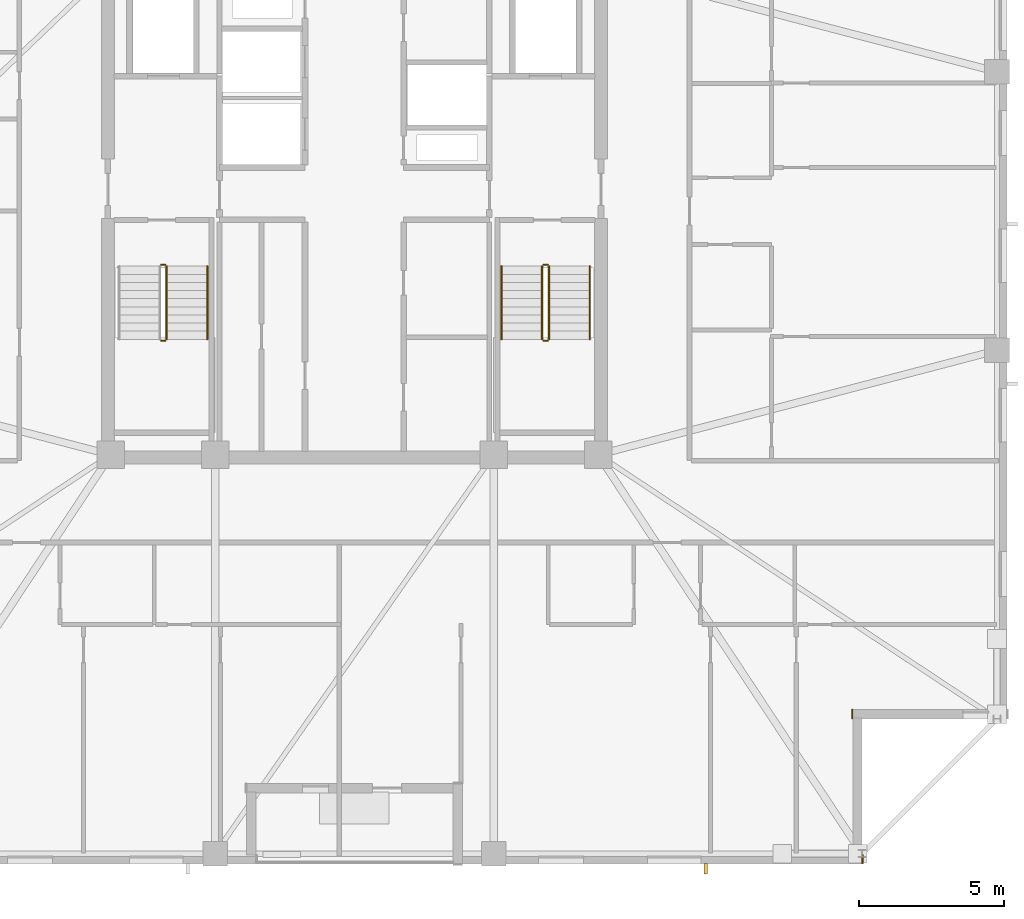
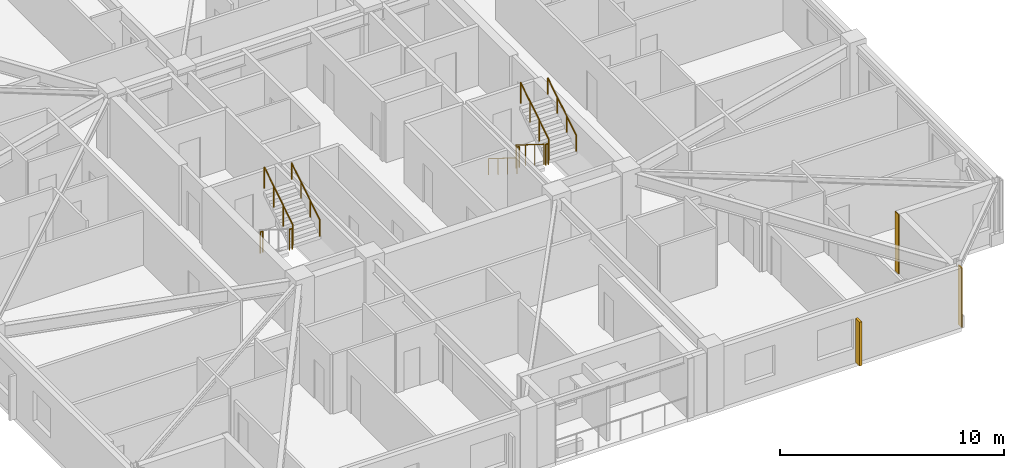
# One storey, part 14 of 17: 10 railings, 2 coverings, 1 shading device.
"""IFC4 building model written with IfcOpenShell, lengths in metres."""

from ifc_helpers import new_model, si_unit, direction, frame, frame_2d, origin, origin_2d, place, context, subcontext, project, spatial, rectangle, circle, extrude, material, layer, layer_set, type_object, element, save


model = new_model("IFC4")

# Units and contexts
model_context = context("Model", 3, precision=1e-05, world=origin(), true_north=direction((0.0, 1.0)))
body_context = subcontext(model_context, "Body", "Model", "MODEL_VIEW")
ifc_project = project(units=[si_unit("LENGTHUNIT", "METRE"), si_unit("AREAUNIT", "SQUARE_METRE"), si_unit("VOLUMEUNIT", "CUBIC_METRE"), si_unit("PLANEANGLEUNIT", "RADIAN"), si_unit("MASSUNIT", "GRAM", prefix="KILO")], contexts=[model_context])

# Site, building, storey
site_placement = place(None, origin())
site = spatial("IfcSite", under=ifc_project, at=site_placement, CompositionType="ELEMENT")
building_placement = place(site_placement, origin())
building = spatial("IfcBuilding", under=site, at=building_placement, Name="Cairnveth Concourse Tower", CompositionType="ELEMENT")
storey_placement = place(building_placement, frame((0.0, 0.0, 272.5)))
storey = spatial("IfcBuildingStorey", under=building, at=storey_placement, Name="L75", CompositionType="ELEMENT", Elevation=272.5)

# Coverings
ifc_material_1 = material(Name="Dressed Melbourne Bluestone Cladding", Category="masonry")
ifc_layer = layer(ifc_material_1, 0.050048828125)
ifc_layer_set = layer_set([ifc_layer], Name="Dressed Melbourne Bluestone Cladding")
covering_type = type_object("IfcCoveringType", Name="DRESSED BLUESTONE PLINTH CLADDING 50", PredefinedType="CLADDING", material=ifc_layer_set)
for number, where, z_axis, x_axis, name in (
    (1, (69.159912109375, 21.820068359375, 0.0), (0.0, 0.0, 1.0), (0.0, -1.0, 0.0), "Melbourne Bluestone Corner Quoin L75-1146"),
    (2, (69.52001953125, 16.820068359375, 0.0), (0.0, 0.0, 1.0), (0.0, -1.0, 0.0), "Melbourne Bluestone Corner Quoin L75-1147"),
):
    element("IfcCovering", number, at=place(storey_placement, frame(where, z_axis=z_axis, x_axis=x_axis)), inside=storey, type_object=covering_type, Name=name, PredefinedType="CLADDING", context=body_context, shape_type="SweptSolid", body=[
        extrude(rectangle(XDim=0.320068359375, YDim=0.050048828125, at=frame_2d((0.16015625, 0.0))), origin(), (0.0, 0.0, 1.0), 3.239990234375),
    ])

# Shading device
ifc_material_2 = material(Name="Architectural Bronze Anodised Aluminium 6063-T6", Category="aluminium")
shading_device_type = type_object("IfcShadingDeviceType", Name="GOTHIC BRONZE VERTICAL LANCET FIN", PredefinedType="USERDEFINED", material=ifc_material_2)
shading_device_placement = place(storey_placement, frame((64.109619140625, 16.324951171875, 0.0302734375), z_axis=(0.0, 0.0, 1.0), x_axis=(1.0, 0.0, 0.0)))
element("IfcShadingDevice", 3, at=shading_device_placement, inside=storey, type_object=shading_device_type, Name="Gothic Bronze Vertical Fin L75-12-1", ObjectType="VERTICAL FIN", PredefinedType="USERDEFINED", context=body_context, shape_type="SweptSolid", body=[
    extrude(rectangle(XDim=0.1201171875, YDim=0.360107421875, at=origin_2d()), origin(), (0.0, 0.0, 1.0), 2.387939453125),
])

# Railings
ifc_material_3 = material(Name="Steel Grade 350", Category="steel")
railing_type_1 = type_object("IfcRailingType", Name="STAIR GUARDRAIL 1150", PredefinedType="GUARDRAIL", material=ifc_material_3)
railing_1_placement = place(storey_placement, frame((45.340087890625, 34.530029296875, 1.75)))
element("IfcRailing", 4, at=railing_1_placement, inside=storey, type_object=railing_type_1, Name="L75 ST-1 stair guard 2", PredefinedType="GUARDRAIL", context=body_context, shape_type="SweptSolid", body=[
    extrude(circle(Radius=0.02392578125, at=origin_2d()), frame((0.0, 0.0, 1.1259765625), z_axis=(1.0, 0.0, 0.0), x_axis=(0.0, 1.0, 0.0)), (0.0, 0.0, 1.0), 0.139892578125),
    extrude(circle(Radius=0.02099609375, at=origin_2d()), origin(), (0.0, 0.0, 1.0), 1.101806640625),
    extrude(circle(Radius=0.02099609375, at=origin_2d()), frame((0.139892578125, 0.0, 0.0)), (0.0, 0.0, 1.0), 1.101806640625),
])
railing_2_placement = place(storey_placement, frame((45.530029296875, 34.580078125, 1.925048828125)))
element("IfcRailing", 5, at=railing_2_placement, inside=storey, type_object=railing_type_1, Name="L75 ST-1 stair guard 3", PredefinedType="GUARDRAIL", context=body_context, shape_type="SweptSolid", body=[
    extrude(circle(Radius=0.02392578125, at=origin_2d()), frame((0.0, 0.0, 1.1259765625), z_axis=(0.0, 0.848007534815, 0.529984170421), x_axis=(-1.0, 0.0, 0.0)), (0.0, 0.0, 1.0), 2.9716796875),
    extrude(circle(Radius=0.02099609375, at=origin_2d()), origin(), (0.0, 0.0, 1.0), 1.101806640625),
    extrude(circle(Radius=0.02099609375, at=origin_2d()), frame((0.0, 0.840087890625, 0.52490234375)), (0.0, 0.0, 1.0), 1.101806640625),
    extrude(circle(Radius=0.02099609375, at=origin_2d()), frame((0.0, 1.679931640625, 1.050048828125)), (0.0, 0.0, 1.0), 1.101806640625),
    extrude(circle(Radius=0.02099609375, at=origin_2d()), frame((0.0, 2.52001953125, 1.574951171875)), (0.0, 0.0, 1.0), 1.101806640625),
])
railing_3_placement = place(storey_placement, frame((45.340087890625, 37.14990234375, 0.0)))
element("IfcRailing", 6, at=railing_3_placement, inside=storey, type_object=railing_type_1, Name="L75 ST-1 stair guard 4", PredefinedType="GUARDRAIL", context=body_context, shape_type="SweptSolid", body=[
    extrude(circle(Radius=0.02392578125, at=origin_2d()), frame((0.0, 0.0, 1.1259765625), z_axis=(1.0, 0.0, 0.0), x_axis=(0.0, 1.0, 0.0)), (0.0, 0.0, 1.0), 0.139892578125),
    extrude(circle(Radius=0.02099609375, at=origin_2d()), origin(), (0.0, 0.0, 1.0), 1.101806640625),
    extrude(circle(Radius=0.02099609375, at=origin_2d()), frame((0.139892578125, 0.0, 0.0)), (0.0, 0.0, 1.0), 1.101806640625),
])
railing_4_placement = place(storey_placement, frame((58.469970703125, 37.10009765625, 0.175048828125)))
element("IfcRailing", 7, at=railing_4_placement, inside=storey, type_object=railing_type_1, Name="L75 ST-2 stair guard 1", PredefinedType="GUARDRAIL", context=body_context, shape_type="SweptSolid", body=[
    extrude(circle(Radius=0.02392578125, at=origin_2d()), frame((0.0, 0.0, 1.1259765625), z_axis=(0.0, -0.848007534815, 0.529984170421), x_axis=(1.0, 0.0, 0.0)), (0.0, 0.0, 1.0), 2.9716796875),
    extrude(circle(Radius=0.02099609375, at=origin_2d()), origin(), (0.0, 0.0, 1.0), 1.101806640625),
    extrude(circle(Radius=0.02099609375, at=origin_2d()), frame((0.0, -0.840087890625, 0.52490234375)), (0.0, 0.0, 1.0), 1.101806640625),
    extrude(circle(Radius=0.02099609375, at=origin_2d()), frame((0.0, -1.679931640625, 1.050048828125)), (0.0, 0.0, 1.0), 1.101806640625),
    extrude(circle(Radius=0.02099609375, at=origin_2d()), frame((0.0, -2.52001953125, 1.574951171875)), (0.0, 0.0, 1.0), 1.101806640625),
])
railing_5_placement = place(storey_placement, frame((58.52001953125, 34.530029296875, 1.75)))
element("IfcRailing", 8, at=railing_5_placement, inside=storey, type_object=railing_type_1, Name="L75 ST-2 stair guard 2", PredefinedType="GUARDRAIL", context=body_context, shape_type="SweptSolid", body=[
    extrude(circle(Radius=0.02392578125, at=origin_2d()), frame((0.0, 0.0, 1.1259765625), z_axis=(1.0, 0.0, 0.0), x_axis=(0.0, 1.0, 0.0)), (0.0, 0.0, 1.0), 0.139892578125),
    extrude(circle(Radius=0.02099609375, at=origin_2d()), origin(), (0.0, 0.0, 1.0), 1.101806640625),
    extrude(circle(Radius=0.02099609375, at=origin_2d()), frame((0.139892578125, 0.0, 0.0)), (0.0, 0.0, 1.0), 1.101806640625),
])
railing_6_placement = place(storey_placement, frame((58.7099609375, 34.580078125, 1.925048828125)))
element("IfcRailing", 9, at=railing_6_placement, inside=storey, type_object=railing_type_1, Name="L75 ST-2 stair guard 3", PredefinedType="GUARDRAIL", context=body_context, shape_type="SweptSolid", body=[
    extrude(circle(Radius=0.02392578125, at=origin_2d()), frame((0.0, 0.0, 1.1259765625), z_axis=(0.0, 0.848007534815, 0.529984170421), x_axis=(-1.0, 0.0, 0.0)), (0.0, 0.0, 1.0), 2.9716796875),
    extrude(circle(Radius=0.02099609375, at=origin_2d()), origin(), (0.0, 0.0, 1.0), 1.101806640625),
    extrude(circle(Radius=0.02099609375, at=origin_2d()), frame((0.0, 0.840087890625, 0.52490234375)), (0.0, 0.0, 1.0), 1.101806640625),
    extrude(circle(Radius=0.02099609375, at=origin_2d()), frame((0.0, 1.679931640625, 1.050048828125)), (0.0, 0.0, 1.0), 1.101806640625),
    extrude(circle(Radius=0.02099609375, at=origin_2d()), frame((0.0, 2.52001953125, 1.574951171875)), (0.0, 0.0, 1.0), 1.101806640625),
])
railing_7_placement = place(storey_placement, frame((58.52001953125, 37.14990234375, 0.0)))
element("IfcRailing", 10, at=railing_7_placement, inside=storey, type_object=railing_type_1, Name="L75 ST-2 stair guard 4", PredefinedType="GUARDRAIL", context=body_context, shape_type="SweptSolid", body=[
    extrude(circle(Radius=0.02392578125, at=origin_2d()), frame((0.0, 0.0, 1.1259765625), z_axis=(1.0, 0.0, 0.0), x_axis=(0.0, 1.0, 0.0)), (0.0, 0.0, 1.0), 0.139892578125),
    extrude(circle(Radius=0.02099609375, at=origin_2d()), origin(), (0.0, 0.0, 1.0), 1.101806640625),
    extrude(circle(Radius=0.02099609375, at=origin_2d()), frame((0.139892578125, 0.0, 0.0)), (0.0, 0.0, 1.0), 1.101806640625),
])
railing_type_2 = type_object("IfcRailingType", Name="STAIR WALL HANDRAIL 900", PredefinedType="HANDRAIL", material=ifc_material_3)
railing_8_placement = place(storey_placement, frame((46.929931640625, 34.580078125, 1.925048828125)))
element("IfcRailing", 11, at=railing_8_placement, inside=storey, type_object=railing_type_2, Name="L75 ST-1 stair handrail 2", PredefinedType="HANDRAIL", context=body_context, shape_type="SweptSolid", body=[
    extrude(circle(Radius=0.02392578125, at=origin_2d()), frame((0.0, 0.0, 0.8759765625), z_axis=(0.0, 0.848007534815, 0.529984170421), x_axis=(-1.0, 0.0, 0.0)), (0.0, 0.0, 1.0), 2.9716796875),
    extrude(circle(Radius=0.02099609375, at=origin_2d()), origin(), (0.0, 0.0, 1.0), 0.851806640625),
    extrude(circle(Radius=0.02099609375, at=origin_2d()), frame((0.0, 0.840087890625, 0.52490234375)), (0.0, 0.0, 1.0), 0.851806640625),
    extrude(circle(Radius=0.02099609375, at=origin_2d()), frame((0.0, 1.679931640625, 1.050048828125)), (0.0, 0.0, 1.0), 0.851806640625),
    extrude(circle(Radius=0.02099609375, at=origin_2d()), frame((0.0, 2.52001953125, 1.574951171875)), (0.0, 0.0, 1.0), 0.851806640625),
])
railing_9_placement = place(storey_placement, frame((57.070068359375, 37.10009765625, 0.175048828125)))
element("IfcRailing", 12, at=railing_9_placement, inside=storey, type_object=railing_type_2, Name="L75 ST-2 stair handrail 1", PredefinedType="HANDRAIL", context=body_context, shape_type="SweptSolid", body=[
    extrude(circle(Radius=0.02392578125, at=origin_2d()), frame((0.0, 0.0, 0.8759765625), z_axis=(0.0, -0.848007534815, 0.529984170421), x_axis=(1.0, 0.0, 0.0)), (0.0, 0.0, 1.0), 2.9716796875),
    extrude(circle(Radius=0.02099609375, at=origin_2d()), origin(), (0.0, 0.0, 1.0), 0.851806640625),
    extrude(circle(Radius=0.02099609375, at=origin_2d()), frame((0.0, -0.840087890625, 0.52490234375)), (0.0, 0.0, 1.0), 0.851806640625),
    extrude(circle(Radius=0.02099609375, at=origin_2d()), frame((0.0, -1.679931640625, 1.050048828125)), (0.0, 0.0, 1.0), 0.851806640625),
    extrude(circle(Radius=0.02099609375, at=origin_2d()), frame((0.0, -2.52001953125, 1.574951171875)), (0.0, 0.0, 1.0), 0.851806640625),
])
railing_10_placement = place(storey_placement, frame((60.110107421875, 34.580078125, 1.925048828125)))
element("IfcRailing", 13, at=railing_10_placement, inside=storey, type_object=railing_type_2, Name="L75 ST-2 stair handrail 2", PredefinedType="HANDRAIL", context=body_context, shape_type="SweptSolid", body=[
    extrude(circle(Radius=0.02392578125, at=origin_2d()), frame((0.0, 0.0, 0.8759765625), z_axis=(0.0, 0.848007534815, 0.529984170421), x_axis=(-1.0, 0.0, 0.0)), (0.0, 0.0, 1.0), 2.9716796875),
    extrude(circle(Radius=0.02099609375, at=origin_2d()), origin(), (0.0, 0.0, 1.0), 0.851806640625),
    extrude(circle(Radius=0.02099609375, at=origin_2d()), frame((0.0, 0.840087890625, 0.52490234375)), (0.0, 0.0, 1.0), 0.851806640625),
    extrude(circle(Radius=0.02099609375, at=origin_2d()), frame((0.0, 1.679931640625, 1.050048828125)), (0.0, 0.0, 1.0), 0.851806640625),
    extrude(circle(Radius=0.02099609375, at=origin_2d()), frame((0.0, 2.52001953125, 1.574951171875)), (0.0, 0.0, 1.0), 0.851806640625),
])

save(model, "model.ifc")
